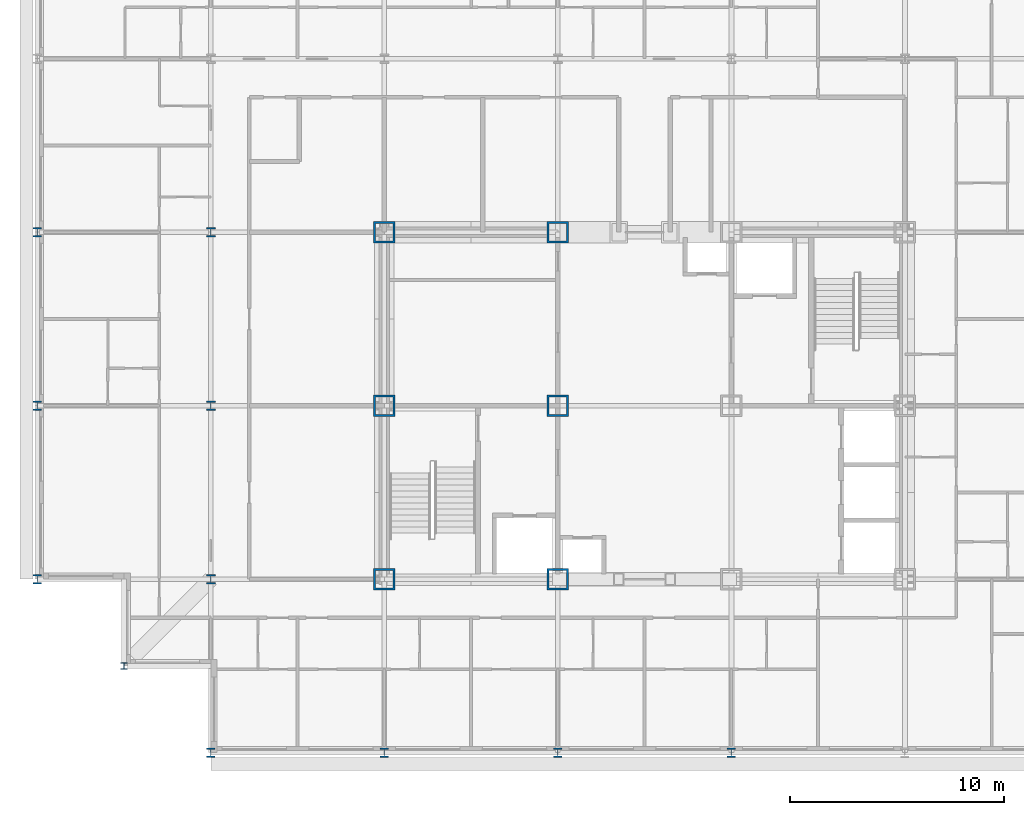
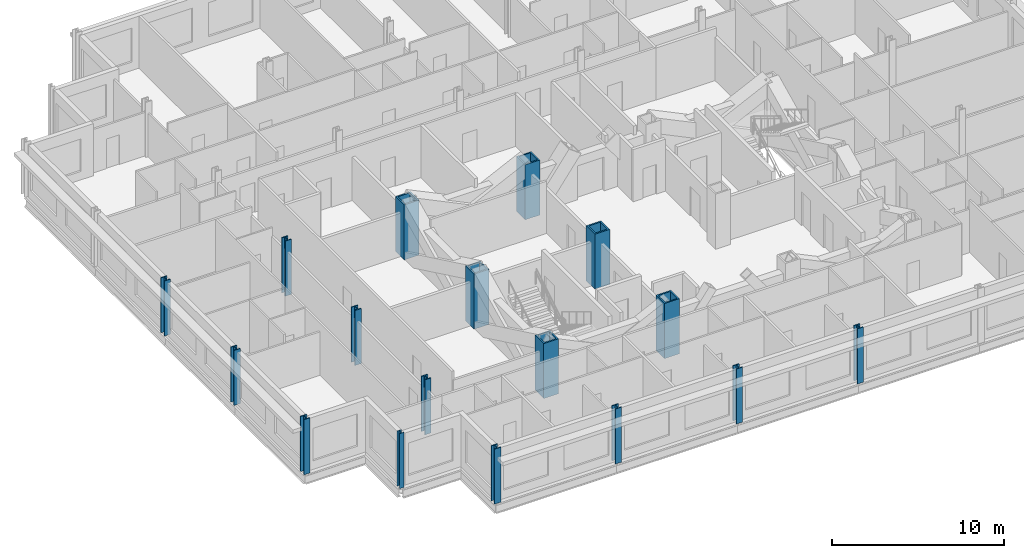
# One storey, part 1 of 16: 17 columns.
"""IFC4 building model written with IfcOpenShell, lengths in metres."""

from ifc_helpers import new_model, si_unit, direction, frame, origin, origin_2d, place, context, subcontext, project, spatial, hollow_rectangle, i_section, extrude, material, material_profile, profile_set, type_object, element, save


model = new_model("IFC4")

# Units and contexts
model_context = context("Model", 3, precision=1e-05, world=origin(), true_north=direction((0.0, 1.0)))
body_context = subcontext(model_context, "Body", "Model", "MODEL_VIEW")
ifc_project = project(units=[si_unit("LENGTHUNIT", "METRE"), si_unit("AREAUNIT", "SQUARE_METRE"), si_unit("VOLUMEUNIT", "CUBIC_METRE"), si_unit("PLANEANGLEUNIT", "RADIAN"), si_unit("MASSUNIT", "GRAM", prefix="KILO")], contexts=[model_context])

# Site, building, storey
site_placement = place(None, origin())
site = spatial("IfcSite", under=ifc_project, at=site_placement, CompositionType="ELEMENT")
building_placement = place(site_placement, origin())
building = spatial("IfcBuilding", under=site, at=building_placement, Name="Kopane Lantern Tower", CompositionType="ELEMENT")
storey_placement = place(building_placement, frame((0.0, 0.0, 258.0)))
storey = spatial("IfcBuildingStorey", under=building, at=storey_placement, Name="L66", CompositionType="ELEMENT", Elevation=258.0)

# Columns
ifc_material_1 = material(Name="Steel S355JR", Category="steel")
ifc_material_profile_1 = material_profile(ifc_material_1, hollow_rectangle(XDim=1.0, YDim=1.0, WallThickness=0.10009765625, at=origin_2d()), Name="BOX 1000x1000x100")
ifc_profile_set_1 = profile_set([ifc_material_profile_1], Name="Steel S355JR")
column_type_1 = type_object("IfcColumnType", Name="COLUMN BOX 1000x1000x100", PredefinedType="COLUMN", material=ifc_profile_set_1)
for number, where, z_axis, x_axis, name in (
    (1, (16.199951171875, 24.300048828125, 0.0), (0.0, 0.0, 1.0), (1.0, 0.0, 0.0), "Column 4/E L66"),
    (2, (16.199951171875, 32.39990234375, 0.0), (0.0, 0.0, 1.0), (1.0, 0.0, 0.0), "Column 4/F L66"),
    (3, (16.199951171875, 40.5, 0.0), (0.0, 0.0, 1.0), (1.0, 0.0, 0.0), "Column 4/G L66"),
    (4, (24.300048828125, 24.300048828125, 0.0), (0.0, 0.0, 1.0), (1.0, 0.0, 0.0), "Column 5/E L66"),
    (5, (24.300048828125, 32.39990234375, 0.0), (0.0, 0.0, 1.0), (1.0, 0.0, 0.0), "Column 5/F L66"),
    (6, (24.300048828125, 40.5, 0.0), (0.0, 0.0, 1.0), (1.0, 0.0, 0.0), "Column 5/G L66"),
):
    element("IfcColumn", number, at=place(storey_placement, frame(where, z_axis=z_axis, x_axis=x_axis)), inside=storey, type_object=column_type_1, Name=name, PredefinedType="COLUMN", context=body_context, shape_type="SweptSolid", body=[
        extrude(hollow_rectangle(XDim=1.0, YDim=1.0, WallThickness=0.10009765625, at=origin_2d()), origin(), (0.0, 0.0, 1.0), 3.89990234375),
    ])
ifc_material_2 = material(Name="Steel S355JR", Category="steel")
ifc_material_profile_2 = material_profile(ifc_material_2, i_section(OverallWidth=0.307373046875, OverallDepth=0.314453125, WebThickness=0.011962890625, FlangeThickness=0.018798828125, FilletRadius=0.01513671875, at=origin_2d()), Name="UC 305x305x118")
ifc_profile_set_2 = profile_set([ifc_material_profile_2], Name="Steel S355JR")
column_type_2 = type_object("IfcColumnType", Name="COLUMN UC 305x305x118", PredefinedType="COLUMN", material=ifc_profile_set_2)
column_placement = place(storey_placement, frame((4.050048828125, 20.25, 0.0), z_axis=(0.0, 0.0, 1.0), x_axis=(1.0, 0.0, 0.0)))
element("IfcColumn", 7, at=column_placement, inside=storey, type_object=column_type_2, Name="Column 4.05/20.25 L66", PredefinedType="COLUMN", context=body_context, shape_type="SweptSolid", body=[
    extrude(i_section(OverallWidth=0.307373046875, OverallDepth=0.314453125, WebThickness=0.011962890625, FlangeThickness=0.018798828125, FilletRadius=0.01513671875, at=origin_2d()), origin(), (0.0, 0.0, 1.0), 3.89990234375),
])
ifc_material_3 = material(Name="Steel S355JR", Category="steel")
ifc_material_profile_3 = material_profile(ifc_material_3, i_section(OverallWidth=0.412109375, OverallDepth=0.4365234375, WebThickness=0.035888671875, FlangeThickness=0.05810546875, FilletRadius=0.01513671875, at=origin_2d()), Name="UC 356x406x467")
ifc_profile_set_3 = profile_set([ifc_material_profile_3], Name="Steel S355JR")
column_type_3 = type_object("IfcColumnType", Name="COLUMN UC 356x406x467", PredefinedType="COLUMN", material=ifc_profile_set_3)
for number, where, z_axis, x_axis, name in (
    (8, (0.0, 24.300048828125, 0.0), (0.0, 0.0, 1.0), (1.0, 0.0, 0.0), "Column 2/E L66"),
    (9, (0.0, 32.39990234375, 0.0), (0.0, 0.0, 1.0), (1.0, 0.0, 0.0), "Column 2/F L66"),
    (10, (0.0, 40.5, 0.0), (0.0, 0.0, 1.0), (1.0, 0.0, 0.0), "Column 2/G L66"),
    (11, (8.10009765625, 16.199951171875, 0.0), (0.0, 0.0, 1.0), (1.0, 0.0, 0.0), "Column 3/D L66"),
    (12, (16.199951171875, 16.199951171875, 0.0), (0.0, 0.0, 1.0), (1.0, 0.0, 0.0), "Column 4/D L66"),
    (13, (24.300048828125, 16.199951171875, 0.0), (0.0, 0.0, 1.0), (1.0, 0.0, 0.0), "Column 5/D L66"),
    (14, (32.39990234375, 16.199951171875, 0.0), (0.0, 0.0, 1.0), (1.0, 0.0, 0.0), "Column 6/D L66"),
):
    element("IfcColumn", number, at=place(storey_placement, frame(where, z_axis=z_axis, x_axis=x_axis)), inside=storey, type_object=column_type_3, Name=name, PredefinedType="COLUMN", context=body_context, shape_type="SweptSolid", body=[
        extrude(i_section(OverallWidth=0.412109375, OverallDepth=0.4365234375, WebThickness=0.035888671875, FlangeThickness=0.05810546875, FilletRadius=0.01513671875, at=origin_2d()), origin(), (0.0, 0.0, 1.0), 3.89990234375),
    ])
ifc_material_4 = material(Name="Steel S355JR", Category="steel")
ifc_material_profile_4 = material_profile(ifc_material_4, i_section(OverallWidth=0.41845703125, OverallDepth=0.45556640625, WebThickness=0.0419921875, FlangeThickness=0.0673828125, FilletRadius=0.01513671875, at=origin_2d()), Name="UC 356x406x551")
ifc_profile_set_4 = profile_set([ifc_material_profile_4], Name="Steel S355JR")
column_type_4 = type_object("IfcColumnType", Name="COLUMN UC 356x406x551", PredefinedType="COLUMN", material=ifc_profile_set_4)
for number, where, z_axis, x_axis, name in (
    (15, (8.10009765625, 24.300048828125, 0.0), (0.0, 0.0, 1.0), (1.0, 0.0, 0.0), "Column 3/E L66"),
    (16, (8.10009765625, 32.39990234375, 0.0), (0.0, 0.0, 1.0), (1.0, 0.0, 0.0), "Column 3/F L66"),
    (17, (8.10009765625, 40.5, 0.0), (0.0, 0.0, 1.0), (1.0, 0.0, 0.0), "Column 3/G L66"),
):
    element("IfcColumn", number, at=place(storey_placement, frame(where, z_axis=z_axis, x_axis=x_axis)), inside=storey, type_object=column_type_4, Name=name, PredefinedType="COLUMN", context=body_context, shape_type="SweptSolid", body=[
        extrude(i_section(OverallWidth=0.41845703125, OverallDepth=0.45556640625, WebThickness=0.0419921875, FlangeThickness=0.0673828125, FilletRadius=0.01513671875, at=origin_2d()), origin(), (0.0, 0.0, 1.0), 3.89990234375),
    ])

save(model, "model.ifc")
